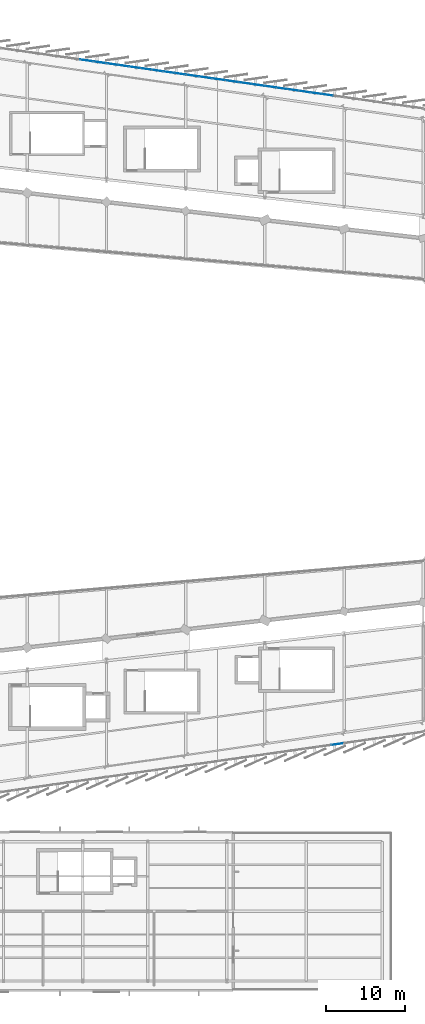
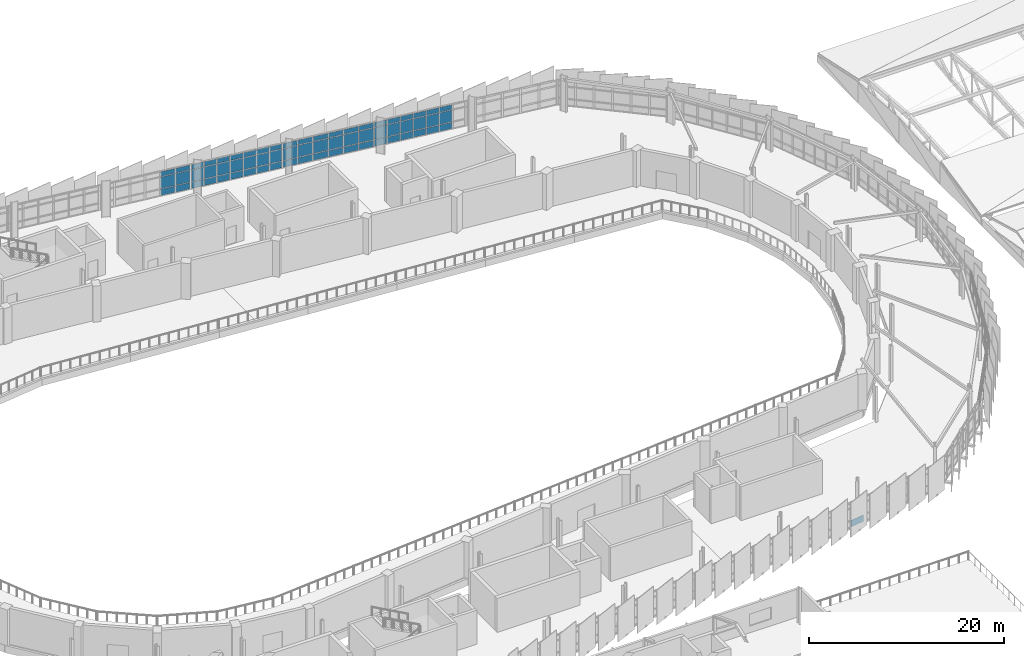
# One storey, part 68 of 87: 64 plates, 5 elements without a shape of their own.
"""IFC4 building model written with IfcOpenShell, lengths in metres."""

import ifcopenshell
import ifcopenshell.guid

model = None  # the IFC model being written
_history = None  # IfcOwnerHistory: only IFC2X3 demands one
_inside = {}  # id of a spatial element -> (the spatial element, [elements in it])
_under = {}  # id of a project, library or spatial element -> (it, [spatial elements below it])
_declared = {}  # id of a project -> (the project, [libraries it declares])
_typed = {}  # id of a type object -> (the type object, [elements of that type])
_made_of = {}  # id of a material, layer set ... -> (it, [elements and type objects made of it])


def new_model(schema):
    """Start an empty IFC model of exactly this schema.

    Asked for "IFC4X3", IfcOpenShell would pick the latest addendum, in which some entities
    have other attributes; the version numbers below select the first issue.
    IFC2X3 requires an IfcOwnerHistory on every rooted entity: one is made here for all.
    """
    global model, _history
    if schema == "IFC4X3":
        model = ifcopenshell.file(schema_version=(4, 3, 0, 0))
    else:
        model = ifcopenshell.file(schema=schema)
    _inside.clear()
    _under.clear()
    _declared.clear()
    _typed.clear()
    _made_of.clear()
    _history = None
    if model.schema == "IFC2X3":
        org = make("IfcOrganization", Name="unknown")
        user = make(
            "IfcPersonAndOrganization",
            ThePerson=make("IfcPerson", FamilyName="unknown"),
            TheOrganization=org,
        )
        app = make(
            "IfcApplication",
            ApplicationDeveloper=org,
            Version="unknown",
            ApplicationFullName="unknown",
            ApplicationIdentifier="unknown",
        )
        _history = make(
            "IfcOwnerHistory",
            OwningUser=user,
            OwningApplication=app,
            ChangeAction="ADDED",
            CreationDate=0,
        )
    return model


def make(cls, **values):
    """One entity of the class cls with the attributes given. An attribute that is None is left unset."""
    return model.create_entity(
        cls, **{name: value for name, value in values.items() if value is not None}
    )


def rooted(cls, **values):
    """An entity with a GlobalId (a new one), such as an element, a storey or a relation."""
    return make(cls, GlobalId=ifcopenshell.guid.new(), OwnerHistory=_history, **values)


def si_unit(unit_type, name, prefix=None):
    """IfcSIUnit, for example si_unit("LENGTHUNIT", "METRE", prefix="MILLI")."""
    return make("IfcSIUnit", UnitType=unit_type, Prefix=prefix, Name=name)


def assignment(units):
    """IfcUnitAssignment: the units of a project."""
    return None if units is None else make("IfcUnitAssignment", Units=units)


def point(xyz):
    """IfcCartesianPoint."""
    return None if xyz is None else make("IfcCartesianPoint", Coordinates=xyz)


def direction(xyz):
    """IfcDirection."""
    return None if xyz is None else make("IfcDirection", DirectionRatios=xyz)


def frame(location, z_axis=None, x_axis=None):
    """IfcAxis2Placement3D, a coordinate frame: its origin and axes. An axis left out is left unset."""
    return make(
        "IfcAxis2Placement3D",
        Location=point(location),
        Axis=direction(z_axis),
        RefDirection=direction(x_axis),
    )


def frame_2d(location, x_axis=None):
    """IfcAxis2Placement2D, a coordinate frame in the plane: its origin and x axis."""
    return make(
        "IfcAxis2Placement2D", Location=point(location), RefDirection=direction(x_axis)
    )


def origin():
    """The frame at (0, 0, 0) with its axes left unset."""
    return frame((0.0, 0.0, 0.0))


def origin_2d():
    """The frame at (0, 0) in the plane with its x axis left unset."""
    return frame_2d((0.0, 0.0))


def place(relative_to, where):
    """IfcLocalPlacement: puts the frame where relative to a parent placement (None: the world)."""
    return make(
        "IfcLocalPlacement", PlacementRelTo=relative_to, RelativePlacement=where
    )


def context(
    kind, dimensions, precision=None, world=None, true_north=None, identifier=None
):
    """IfcGeometricRepresentationContext, for example the 3D "Model" context."""
    return make(
        "IfcGeometricRepresentationContext",
        ContextIdentifier=identifier,
        ContextType=kind,
        CoordinateSpaceDimension=dimensions,
        Precision=precision,
        WorldCoordinateSystem=world,
        TrueNorth=true_north,
    )


def subcontext(parent, identifier, kind, view, scale=None):
    """IfcGeometricRepresentationSubContext, for example "Body" below "Model"."""
    return make(
        "IfcGeometricRepresentationSubContext",
        ContextIdentifier=identifier,
        ContextType=kind,
        ParentContext=parent,
        TargetScale=scale,
        TargetView=view,
    )


def project(units=None, contexts=None):
    """IfcProject with its units and contexts."""
    return rooted(
        "IfcProject",
        Name="project",
        RepresentationContexts=contexts,
        UnitsInContext=assignment(units),
    )


def spatial(cls, under=None, at=None, **own):
    """A site, building, storey or space (cls), placed at a placement, below another one or the project."""
    s = rooted(cls, ObjectPlacement=at, **own)
    if under is not None:
        _under.setdefault(under.id(), (under, []))[1].append(s)
    return s


def profile(cls, at=None, kind="AREA", **sizes):
    """A parametric profile (cls). Its sizes go by their IFC names, for example OverallWidth=200.0."""
    return make(cls, ProfileType=kind, Position=at, **sizes)


def rectangle(**sizes):
    """IfcRectangleProfileDef."""
    return profile("IfcRectangleProfileDef", **sizes)


def extrude(swept, where, along, depth):
    """IfcExtrudedAreaSolid: the profile swept, set in the frame where, extruded along a direction by depth."""
    return make(
        "IfcExtrudedAreaSolid",
        SweptArea=swept,
        Position=where,
        ExtrudedDirection=direction(along),
        Depth=depth,
    )


def shape(context_of_items, identifier, shape_type, items):
    """IfcShapeRepresentation: the items that make up one representation, for example the "Body"."""
    return make(
        "IfcShapeRepresentation",
        ContextOfItems=context_of_items,
        RepresentationIdentifier=identifier,
        RepresentationType=shape_type,
        Items=items,
    )


def material(Name=None, Category=None):
    """IfcMaterial."""
    return make("IfcMaterial", Name=Name, Category=Category)


def layer(
    of_material, thickness, ventilated=None, Name=None, Category=None, Priority=None
):
    """IfcMaterialLayer: one layer of a wall or slab, of a material (None: an air gap)."""
    return make(
        "IfcMaterialLayer",
        Material=of_material,
        LayerThickness=thickness,
        IsVentilated=ventilated,
        Name=Name,
        Category=Category,
        Priority=Priority,
    )


def layer_set(layers, Name=None):
    """IfcMaterialLayerSet."""
    return make("IfcMaterialLayerSet", MaterialLayers=layers, LayerSetName=Name)


def made_of(thing, what):
    """Note that an element or type object is made of a material, layer set ...; save() writes the relation."""
    if what is not None:
        _made_of.setdefault(what.id(), (what, []))[1].append(thing)
    return thing


def type_object(cls, material=None, **own):
    """A type object (cls), such as IfcWallType, which elements share."""
    return made_of(rooted(cls, **own), material)


def element(
    cls,
    number,
    at=None,
    inside=None,
    cuts=None,
    type_object=None,
    material=None,
    context=None,
    identifier="Body",
    shape_type=None,
    held_by="IfcProductDefinitionShape",
    body=None,
    shapes=None,
    **own,
):
    """One element of the class cls, such as IfcWall. Its Tag is "e" and its number.

    at: its placement. inside: the storey or other place that contains it. cuts: it is an
    opening in that element (IfcRelVoidsElement). A single representation is given by context,
    identifier, shape_type and body (its items); several are given by shapes. held_by: the class
    of the entity that holds the representations. save() writes the other relations.
    """
    e = rooted(cls, Tag="e%d" % number, ObjectPlacement=at, **own)
    if body is not None:
        shapes = [shape(context, identifier, shape_type, body)]
    if shapes is not None:
        e.Representation = make(held_by, Representations=shapes)
    if inside is not None:
        _inside.setdefault(inside.id(), (inside, []))[1].append(e)
    if cuts is not None:
        rooted(
            "IfcRelVoidsElement", RelatingBuildingElement=cuts, RelatedOpeningElement=e
        )
    if type_object is not None:
        _typed.setdefault(type_object.id(), (type_object, []))[1].append(e)
    return made_of(e, material)


def aggregate(whole, parts):
    """IfcRelAggregates: a whole, such as a stair, and the parts it consists of."""
    return rooted("IfcRelAggregates", RelatingObject=whole, RelatedObjects=parts)


def save(model, path):
    """Write the relations noted so far, then the file.

    IfcRelAggregates (storeys below a building ...), IfcRelContainedInSpatialStructure (elements
    in a storey), IfcRelDefinesByType, IfcRelAssociatesMaterial and IfcRelDeclares: one each for
    every whole, place, type object, material and project.
    """
    for whole, parts in _under.values():
        aggregate(whole, parts)
    for where, things in _inside.values():
        rooted(
            "IfcRelContainedInSpatialStructure",
            RelatedElements=things,
            RelatingStructure=where,
        )
    for kind, things in _typed.values():
        rooted("IfcRelDefinesByType", RelatedObjects=things, RelatingType=kind)
    for what, things in _made_of.values():
        rooted("IfcRelAssociatesMaterial", RelatedObjects=things, RelatingMaterial=what)
    for by, libraries in _declared.values():
        rooted("IfcRelDeclares", RelatingContext=by, RelatedDefinitions=libraries)
    model.write(path)


model = new_model("IFC4")

# Units and contexts
model_context = context("Model", 3, precision=1e-05, world=origin(), true_north=direction((0.0, 1.0)))
body_context = subcontext(model_context, "Body", "Model", "MODEL_VIEW")
ifc_project = project(units=[si_unit("LENGTHUNIT", "METRE"), si_unit("AREAUNIT", "SQUARE_METRE"), si_unit("VOLUMEUNIT", "CUBIC_METRE"), si_unit("PLANEANGLEUNIT", "RADIAN"), si_unit("MASSUNIT", "GRAM", prefix="KILO")], contexts=[model_context])

# Site, building, storey
site_placement = place(None, origin())
site = spatial("IfcSite", under=ifc_project, at=site_placement, CompositionType="ELEMENT")
building_placement = place(site_placement, origin())
building = spatial("IfcBuilding", under=site, at=building_placement, Name="Sohan Crest Arena", CompositionType="ELEMENT")
storey_placement = place(building_placement, frame((0.0, 0.0, 18.0)))
storey = spatial("IfcBuildingStorey", under=building, at=storey_placement, Name="L04", CompositionType="ELEMENT", Elevation=18.0)

# Curtain wall, plates
ifc_material_1 = material(Name="Thermally broken anodised aluminium", Category="aluminium")
ifc_layer_1 = layer(ifc_material_1, 0.18994140625, Name="Thermally broken anodised aluminium")
ifc_layer_set_1 = layer_set([ifc_layer_1], Name="Thermally broken anodised aluminium")
curtain_wall_type_1 = type_object("IfcCurtainWallType", Name="ARC-CW05", PredefinedType="NOTDEFINED", material=ifc_layer_set_1)
curtain_wall_1_placement = place(storey_placement, origin())
curtain_wall_1 = element("IfcCurtainWall", 1, at=curtain_wall_1_placement, inside=storey, type_object=curtain_wall_type_1, Name="Unitised curtain wall CW-140", PredefinedType="NOTDEFINED")
ifc_material_2 = material(Name="Low-E double-glazed insulated glass", Category="glass")
ifc_layer_2 = layer(ifc_material_2, 0.028076171875, Name="Low-E double-glazed insulated glass")
ifc_layer_set_2 = layer_set([ifc_layer_2], Name="Low-E double-glazed insulated glass")
plate_type_1 = type_object("IfcPlateType", Name="ARC-CNP01", PredefinedType="CURTAIN_PANEL", material=ifc_layer_set_2)
plate_1_placement = place(storey_placement, frame((155.857177734375, 119.0849609375, 0.06494140625), z_axis=(0.0, 0.0, 1.0), x_axis=(-0.989957411768, 0.141365918403, 0.0)))
plate_1 = element("IfcPlate", 2, at=plate_1_placement, type_object=plate_type_1, Name="CW-140 panel 2.1", PredefinedType="CURTAIN_PANEL", context=body_context, shape_type="SweptSolid", body=[
    extrude(rectangle(XDim=1.383056640625, YDim=0.028076171875, at=origin_2d()), origin(), (0.0, 0.0, 1.0), 0.802490234375),
])
plate_2_placement = place(storey_placement, frame((155.857177734375, 119.0849609375, 0.932373046875), z_axis=(0.0, 0.0, 1.0), x_axis=(-0.989957411768, 0.141365918403, 0.0)))
plate_2 = element("IfcPlate", 3, at=plate_2_placement, type_object=plate_type_1, Name="CW-140 panel 2.2", PredefinedType="CURTAIN_PANEL", context=body_context, shape_type="SweptSolid", body=[
    extrude(rectangle(XDim=1.383056640625, YDim=0.028076171875, at=origin_2d()), origin(), (0.0, 0.0, 1.0), 1.455078125),
])
plate_3_placement = place(storey_placement, frame((155.857177734375, 119.0849609375, 2.452392578125), z_axis=(0.0, 0.0, 1.0), x_axis=(-0.989957411768, 0.141365918403, 0.0)))
plate_3 = element("IfcPlate", 4, at=plate_3_placement, type_object=plate_type_1, Name="CW-140 panel 2.3", PredefinedType="CURTAIN_PANEL", context=body_context, shape_type="SweptSolid", body=[
    extrude(rectangle(XDim=1.383056640625, YDim=0.028076171875, at=origin_2d()), origin(), (0.0, 0.0, 1.0), 0.6025390625),
])
plate_4_placement = place(storey_placement, frame((154.428466796875, 119.2890625, 0.06494140625), z_axis=(0.0, 0.0, 1.0), x_axis=(-0.989957411768, 0.141365918403, 0.0)))
plate_4 = element("IfcPlate", 5, at=plate_4_placement, type_object=plate_type_1, Name="CW-140 panel 3.1", PredefinedType="CURTAIN_PANEL", context=body_context, shape_type="SweptSolid", body=[
    extrude(rectangle(XDim=1.383056640625, YDim=0.028076171875, at=origin_2d()), origin(), (0.0, 0.0, 1.0), 0.802490234375),
])
plate_5_placement = place(storey_placement, frame((154.428466796875, 119.2890625, 0.932373046875), z_axis=(0.0, 0.0, 1.0), x_axis=(-0.989957411768, 0.141365918403, 0.0)))
plate_5 = element("IfcPlate", 6, at=plate_5_placement, type_object=plate_type_1, Name="CW-140 panel 3.2", PredefinedType="CURTAIN_PANEL", context=body_context, shape_type="SweptSolid", body=[
    extrude(rectangle(XDim=1.383056640625, YDim=0.028076171875, at=origin_2d()), origin(), (0.0, 0.0, 1.0), 1.455078125),
])
plate_6_placement = place(storey_placement, frame((154.428466796875, 119.2890625, 2.452392578125), z_axis=(0.0, 0.0, 1.0), x_axis=(-0.989957411768, 0.141365918403, 0.0)))
plate_6 = element("IfcPlate", 7, at=plate_6_placement, type_object=plate_type_1, Name="CW-140 panel 3.3", PredefinedType="CURTAIN_PANEL", context=body_context, shape_type="SweptSolid", body=[
    extrude(rectangle(XDim=1.383056640625, YDim=0.028076171875, at=origin_2d()), origin(), (0.0, 0.0, 1.0), 0.6025390625),
])
plate_7_placement = place(storey_placement, frame((153.0, 119.492919921875, 0.06494140625), z_axis=(0.0, 0.0, 1.0), x_axis=(-0.989957411768, 0.141365918403, 0.0)))
plate_7 = element("IfcPlate", 8, at=plate_7_placement, type_object=plate_type_1, Name="CW-140 panel 4.1", PredefinedType="CURTAIN_PANEL", context=body_context, shape_type="SweptSolid", body=[
    extrude(rectangle(XDim=1.383056640625, YDim=0.028076171875, at=origin_2d()), origin(), (0.0, 0.0, 1.0), 0.802490234375),
])
plate_8_placement = place(storey_placement, frame((153.0, 119.492919921875, 0.932373046875), z_axis=(0.0, 0.0, 1.0), x_axis=(-0.989957411768, 0.141365918403, 0.0)))
plate_8 = element("IfcPlate", 9, at=plate_8_placement, type_object=plate_type_1, Name="CW-140 panel 4.2", PredefinedType="CURTAIN_PANEL", context=body_context, shape_type="SweptSolid", body=[
    extrude(rectangle(XDim=1.383056640625, YDim=0.028076171875, at=origin_2d()), origin(), (0.0, 0.0, 1.0), 1.455078125),
])
plate_9_placement = place(storey_placement, frame((153.0, 119.492919921875, 2.452392578125), z_axis=(0.0, 0.0, 1.0), x_axis=(-0.989957411768, 0.141365918403, 0.0)))
plate_9 = element("IfcPlate", 10, at=plate_9_placement, type_object=plate_type_1, Name="CW-140 panel 4.3", PredefinedType="CURTAIN_PANEL", context=body_context, shape_type="SweptSolid", body=[
    extrude(rectangle(XDim=1.383056640625, YDim=0.028076171875, at=origin_2d()), origin(), (0.0, 0.0, 1.0), 0.6025390625),
])
plate_10_placement = place(storey_placement, frame((151.571533203125, 119.697021484375, 0.06494140625), z_axis=(0.0, 0.0, 1.0), x_axis=(-0.989957411768, 0.141365918403, 0.0)))
plate_10 = element("IfcPlate", 11, at=plate_10_placement, type_object=plate_type_1, Name="CW-140 panel 5.1", PredefinedType="CURTAIN_PANEL", context=body_context, shape_type="SweptSolid", body=[
    extrude(rectangle(XDim=1.383056640625, YDim=0.028076171875, at=origin_2d()), origin(), (0.0, 0.0, 1.0), 0.802490234375),
])
plate_11_placement = place(storey_placement, frame((151.571533203125, 119.697021484375, 0.932373046875), z_axis=(0.0, 0.0, 1.0), x_axis=(-0.989957411768, 0.141365918403, 0.0)))
plate_11 = element("IfcPlate", 12, at=plate_11_placement, type_object=plate_type_1, Name="CW-140 panel 5.2", PredefinedType="CURTAIN_PANEL", context=body_context, shape_type="SweptSolid", body=[
    extrude(rectangle(XDim=1.383056640625, YDim=0.028076171875, at=origin_2d()), origin(), (0.0, 0.0, 1.0), 1.455078125),
])
plate_12_placement = place(storey_placement, frame((151.571533203125, 119.697021484375, 2.452392578125), z_axis=(0.0, 0.0, 1.0), x_axis=(-0.989957411768, 0.141365918403, 0.0)))
plate_12 = element("IfcPlate", 13, at=plate_12_placement, type_object=plate_type_1, Name="CW-140 panel 5.3", PredefinedType="CURTAIN_PANEL", context=body_context, shape_type="SweptSolid", body=[
    extrude(rectangle(XDim=1.383056640625, YDim=0.028076171875, at=origin_2d()), origin(), (0.0, 0.0, 1.0), 0.6025390625),
])
plate_13_placement = place(storey_placement, frame((150.142822265625, 119.90087890625, 0.06494140625), z_axis=(0.0, 0.0, 1.0), x_axis=(-0.989957411768, 0.141365918403, 0.0)))
plate_13 = element("IfcPlate", 14, at=plate_13_placement, type_object=plate_type_1, Name="CW-140 panel 6.1", PredefinedType="CURTAIN_PANEL", context=body_context, shape_type="SweptSolid", body=[
    extrude(rectangle(XDim=1.383056640625, YDim=0.028076171875, at=origin_2d()), origin(), (0.0, 0.0, 1.0), 0.802490234375),
])
plate_14_placement = place(storey_placement, frame((150.142822265625, 119.90087890625, 0.932373046875), z_axis=(0.0, 0.0, 1.0), x_axis=(-0.989957411768, 0.141365918403, 0.0)))
plate_14 = element("IfcPlate", 15, at=plate_14_placement, type_object=plate_type_1, Name="CW-140 panel 6.2", PredefinedType="CURTAIN_PANEL", context=body_context, shape_type="SweptSolid", body=[
    extrude(rectangle(XDim=1.383056640625, YDim=0.028076171875, at=origin_2d()), origin(), (0.0, 0.0, 1.0), 1.455078125),
])
plate_15_placement = place(storey_placement, frame((150.142822265625, 119.90087890625, 2.452392578125), z_axis=(0.0, 0.0, 1.0), x_axis=(-0.989957411768, 0.141365918403, 0.0)))
plate_15 = element("IfcPlate", 16, at=plate_15_placement, type_object=plate_type_1, Name="CW-140 panel 6.3", PredefinedType="CURTAIN_PANEL", context=body_context, shape_type="SweptSolid", body=[
    extrude(rectangle(XDim=1.383056640625, YDim=0.028076171875, at=origin_2d()), origin(), (0.0, 0.0, 1.0), 0.6025390625),
])
plate_16_placement = place(storey_placement, frame((148.729248046875, 120.102783203125, 0.06494140625), z_axis=(0.0, 0.0, 1.0), x_axis=(-0.989957411768, 0.141365918403, 0.0)))
plate_16 = element("IfcPlate", 17, at=plate_16_placement, type_object=plate_type_1, Name="CW-140 panel 7.1", PredefinedType="CURTAIN_PANEL", context=body_context, shape_type="SweptSolid", body=[
    extrude(rectangle(XDim=1.35302734375, YDim=0.028076171875, at=origin_2d()), origin(), (0.0, 0.0, 1.0), 0.802490234375),
])
plate_17_placement = place(storey_placement, frame((148.729248046875, 120.102783203125, 0.932373046875), z_axis=(0.0, 0.0, 1.0), x_axis=(-0.989957411768, 0.141365918403, 0.0)))
plate_17 = element("IfcPlate", 18, at=plate_17_placement, type_object=plate_type_1, Name="CW-140 panel 7.2", PredefinedType="CURTAIN_PANEL", context=body_context, shape_type="SweptSolid", body=[
    extrude(rectangle(XDim=1.35302734375, YDim=0.028076171875, at=origin_2d()), origin(), (0.0, 0.0, 1.0), 1.455078125),
])
plate_18_placement = place(storey_placement, frame((148.729248046875, 120.102783203125, 2.452392578125), z_axis=(0.0, 0.0, 1.0), x_axis=(-0.989957411768, 0.141365918403, 0.0)))
plate_18 = element("IfcPlate", 19, at=plate_18_placement, type_object=plate_type_1, Name="CW-140 panel 7.3", PredefinedType="CURTAIN_PANEL", context=body_context, shape_type="SweptSolid", body=[
    extrude(rectangle(XDim=1.35302734375, YDim=0.028076171875, at=origin_2d()), origin(), (0.0, 0.0, 1.0), 0.6025390625),
])
aggregate(curtain_wall_1, [plate_1, plate_2, plate_3, plate_4, plate_5, plate_6, plate_7, plate_8, plate_9, plate_10, plate_11, plate_12, plate_13, plate_14, plate_15, plate_16, plate_17, plate_18])

# Curtain wall, plate
ifc_layer_3 = layer(ifc_material_1, 0.2099609375, Name="Thermally broken anodised aluminium")
ifc_layer_set_3 = layer_set([ifc_layer_3], Name="Thermally broken anodised aluminium")
curtain_wall_type_2 = type_object("IfcCurtainWallType", Name="ARC-CW06", PredefinedType="NOTDEFINED", material=ifc_layer_set_3)
curtain_wall_2_placement = place(storey_placement, origin())
curtain_wall_2 = element("IfcCurtainWall", 20, at=curtain_wall_2_placement, inside=storey, type_object=curtain_wall_type_2, Name="Unitised curtain wall CW-129", PredefinedType="NOTDEFINED")
ifc_layer_4 = layer(ifc_material_2, 0.031982421875, Name="Low-E double-glazed insulated glass")
ifc_layer_set_4 = layer_set([ifc_layer_4], Name="Low-E double-glazed insulated glass")
plate_type_2 = type_object("IfcPlateType", Name="ARC-CNP02", PredefinedType="CURTAIN_PANEL", material=ifc_layer_set_4)
plate_19_placement = place(storey_placement, frame((157.150634765625, 37.099609375, 0.070068359375), z_axis=(0.0, 0.0, 1.0), x_axis=(0.989957411768, 0.141365918403, 0.0)))
plate_19 = element("IfcPlate", 21, at=plate_19_placement, type_object=plate_type_2, Name="CW-129 panel 6.1", PredefinedType="CURTAIN_PANEL", context=body_context, shape_type="SweptSolid", body=[
    extrude(rectangle(XDim=1.586181640625, YDim=0.031982421875, at=origin_2d()), origin(), (0.0, 0.0, 1.0), 0.794921875),
])
aggregate(curtain_wall_2, [plate_19])

# Curtain wall, plates
curtain_wall_3_placement = place(storey_placement, origin())
curtain_wall_3 = element("IfcCurtainWall", 22, at=curtain_wall_3_placement, inside=storey, type_object=curtain_wall_type_2, Name="Unitised curtain wall CW-141", PredefinedType="NOTDEFINED")
plate_20_placement = place(storey_placement, frame((147.150634765625, 120.328369140625, 0.070068359375), z_axis=(0.0, 0.0, 1.0), x_axis=(-0.989943553128, 0.141462933734, 0.0)))
plate_20 = element("IfcPlate", 23, at=plate_20_placement, type_object=plate_type_2, Name="CW-141 panel 1.1", PredefinedType="CURTAIN_PANEL", context=body_context, shape_type="SweptSolid", body=[
    extrude(rectangle(XDim=1.586181640625, YDim=0.031982421875, at=origin_2d()), origin(), (0.0, 0.0, 1.0), 0.794921875),
])
plate_21_placement = place(storey_placement, frame((147.150634765625, 120.328369140625, 0.93505859375), z_axis=(0.0, 0.0, 1.0), x_axis=(-0.989943553128, 0.141462933734, 0.0)))
plate_21 = element("IfcPlate", 24, at=plate_21_placement, type_object=plate_type_2, Name="CW-141 panel 1.2", PredefinedType="CURTAIN_PANEL", context=body_context, shape_type="SweptSolid", body=[
    extrude(rectangle(XDim=1.586181640625, YDim=0.031982421875, at=origin_2d()), origin(), (0.0, 0.0, 1.0), 1.449951171875),
])
plate_22_placement = place(storey_placement, frame((147.150634765625, 120.328369140625, 2.455078125), z_axis=(0.0, 0.0, 1.0), x_axis=(-0.989943553128, 0.141462933734, 0.0)))
plate_22 = element("IfcPlate", 25, at=plate_22_placement, type_object=plate_type_2, Name="CW-141 panel 1.3", PredefinedType="CURTAIN_PANEL", context=body_context, shape_type="SweptSolid", body=[
    extrude(rectangle(XDim=1.586181640625, YDim=0.031982421875, at=origin_2d()), origin(), (0.0, 0.0, 1.0), 0.594970703125),
])
plate_23_placement = place(storey_placement, frame((145.5, 120.564208984375, 0.070068359375), z_axis=(0.0, 0.0, 1.0), x_axis=(-0.989943553128, 0.141462933734, 0.0)))
plate_23 = element("IfcPlate", 26, at=plate_23_placement, type_object=plate_type_2, Name="CW-141 panel 2.1", PredefinedType="CURTAIN_PANEL", context=body_context, shape_type="SweptSolid", body=[
    extrude(rectangle(XDim=1.61865234375, YDim=0.031982421875, at=origin_2d()), origin(), (0.0, 0.0, 1.0), 0.794921875),
])
plate_24_placement = place(storey_placement, frame((145.5, 120.564208984375, 0.93505859375), z_axis=(0.0, 0.0, 1.0), x_axis=(-0.989943553128, 0.141462933734, 0.0)))
plate_24 = element("IfcPlate", 27, at=plate_24_placement, type_object=plate_type_2, Name="CW-141 panel 2.2", PredefinedType="CURTAIN_PANEL", context=body_context, shape_type="SweptSolid", body=[
    extrude(rectangle(XDim=1.61865234375, YDim=0.031982421875, at=origin_2d()), origin(), (0.0, 0.0, 1.0), 1.449951171875),
])
plate_25_placement = place(storey_placement, frame((145.5, 120.564208984375, 2.455078125), z_axis=(0.0, 0.0, 1.0), x_axis=(-0.989943553128, 0.141462933734, 0.0)))
plate_25 = element("IfcPlate", 28, at=plate_25_placement, type_object=plate_type_2, Name="CW-141 panel 2.3", PredefinedType="CURTAIN_PANEL", context=body_context, shape_type="SweptSolid", body=[
    extrude(rectangle(XDim=1.61865234375, YDim=0.031982421875, at=origin_2d()), origin(), (0.0, 0.0, 1.0), 0.594970703125),
])
plate_26_placement = place(storey_placement, frame((143.833251953125, 120.802490234375, 0.070068359375), z_axis=(0.0, 0.0, 1.0), x_axis=(-0.989943553128, 0.141462933734, 0.0)))
plate_26 = element("IfcPlate", 29, at=plate_26_placement, type_object=plate_type_2, Name="CW-141 panel 3.1", PredefinedType="CURTAIN_PANEL", context=body_context, shape_type="SweptSolid", body=[
    extrude(rectangle(XDim=1.61865234375, YDim=0.031982421875, at=origin_2d()), origin(), (0.0, 0.0, 1.0), 0.794921875),
])
plate_27_placement = place(storey_placement, frame((143.833251953125, 120.802490234375, 0.93505859375), z_axis=(0.0, 0.0, 1.0), x_axis=(-0.989943553128, 0.141462933734, 0.0)))
plate_27 = element("IfcPlate", 30, at=plate_27_placement, type_object=plate_type_2, Name="CW-141 panel 3.2", PredefinedType="CURTAIN_PANEL", context=body_context, shape_type="SweptSolid", body=[
    extrude(rectangle(XDim=1.61865234375, YDim=0.031982421875, at=origin_2d()), origin(), (0.0, 0.0, 1.0), 1.449951171875),
])
plate_28_placement = place(storey_placement, frame((143.833251953125, 120.802490234375, 2.455078125), z_axis=(0.0, 0.0, 1.0), x_axis=(-0.989943553128, 0.141462933734, 0.0)))
plate_28 = element("IfcPlate", 31, at=plate_28_placement, type_object=plate_type_2, Name="CW-141 panel 3.3", PredefinedType="CURTAIN_PANEL", context=body_context, shape_type="SweptSolid", body=[
    extrude(rectangle(XDim=1.61865234375, YDim=0.031982421875, at=origin_2d()), origin(), (0.0, 0.0, 1.0), 0.594970703125),
])
plate_29_placement = place(storey_placement, frame((142.166748046875, 121.04052734375, 0.070068359375), z_axis=(0.0, 0.0, 1.0), x_axis=(-0.989943553128, 0.141462933734, 0.0)))
plate_29 = element("IfcPlate", 32, at=plate_29_placement, type_object=plate_type_2, Name="CW-141 panel 4.1", PredefinedType="CURTAIN_PANEL", context=body_context, shape_type="SweptSolid", body=[
    extrude(rectangle(XDim=1.61865234375, YDim=0.031982421875, at=origin_2d()), origin(), (0.0, 0.0, 1.0), 0.794921875),
])
plate_30_placement = place(storey_placement, frame((142.166748046875, 121.04052734375, 0.93505859375), z_axis=(0.0, 0.0, 1.0), x_axis=(-0.989943553128, 0.141462933734, 0.0)))
plate_30 = element("IfcPlate", 33, at=plate_30_placement, type_object=plate_type_2, Name="CW-141 panel 4.2", PredefinedType="CURTAIN_PANEL", context=body_context, shape_type="SweptSolid", body=[
    extrude(rectangle(XDim=1.61865234375, YDim=0.031982421875, at=origin_2d()), origin(), (0.0, 0.0, 1.0), 1.449951171875),
])
plate_31_placement = place(storey_placement, frame((142.166748046875, 121.04052734375, 2.455078125), z_axis=(0.0, 0.0, 1.0), x_axis=(-0.989943553128, 0.141462933734, 0.0)))
plate_31 = element("IfcPlate", 34, at=plate_31_placement, type_object=plate_type_2, Name="CW-141 panel 4.3", PredefinedType="CURTAIN_PANEL", context=body_context, shape_type="SweptSolid", body=[
    extrude(rectangle(XDim=1.61865234375, YDim=0.031982421875, at=origin_2d()), origin(), (0.0, 0.0, 1.0), 0.594970703125),
])
plate_32_placement = place(storey_placement, frame((140.5, 121.27880859375, 0.070068359375), z_axis=(0.0, 0.0, 1.0), x_axis=(-0.989943553128, 0.141462933734, 0.0)))
plate_32 = element("IfcPlate", 35, at=plate_32_placement, type_object=plate_type_2, Name="CW-141 panel 5.1", PredefinedType="CURTAIN_PANEL", context=body_context, shape_type="SweptSolid", body=[
    extrude(rectangle(XDim=1.61865234375, YDim=0.031982421875, at=origin_2d()), origin(), (0.0, 0.0, 1.0), 0.794921875),
])
plate_33_placement = place(storey_placement, frame((140.5, 121.27880859375, 0.93505859375), z_axis=(0.0, 0.0, 1.0), x_axis=(-0.989943553128, 0.141462933734, 0.0)))
plate_33 = element("IfcPlate", 36, at=plate_33_placement, type_object=plate_type_2, Name="CW-141 panel 5.2", PredefinedType="CURTAIN_PANEL", context=body_context, shape_type="SweptSolid", body=[
    extrude(rectangle(XDim=1.61865234375, YDim=0.031982421875, at=origin_2d()), origin(), (0.0, 0.0, 1.0), 1.449951171875),
])
plate_34_placement = place(storey_placement, frame((140.5, 121.27880859375, 2.455078125), z_axis=(0.0, 0.0, 1.0), x_axis=(-0.989943553128, 0.141462933734, 0.0)))
plate_34 = element("IfcPlate", 37, at=plate_34_placement, type_object=plate_type_2, Name="CW-141 panel 5.3", PredefinedType="CURTAIN_PANEL", context=body_context, shape_type="SweptSolid", body=[
    extrude(rectangle(XDim=1.61865234375, YDim=0.031982421875, at=origin_2d()), origin(), (0.0, 0.0, 1.0), 0.594970703125),
])
plate_35_placement = place(storey_placement, frame((138.849365234375, 121.5146484375, 0.070068359375), z_axis=(0.0, 0.0, 1.0), x_axis=(-0.989943553128, 0.141462933734, 0.0)))
plate_35 = element("IfcPlate", 38, at=plate_35_placement, type_object=plate_type_2, Name="CW-141 panel 6.1", PredefinedType="CURTAIN_PANEL", context=body_context, shape_type="SweptSolid", body=[
    extrude(rectangle(XDim=1.586181640625, YDim=0.031982421875, at=origin_2d()), origin(), (0.0, 0.0, 1.0), 0.794921875),
])
plate_36_placement = place(storey_placement, frame((138.849365234375, 121.5146484375, 0.93505859375), z_axis=(0.0, 0.0, 1.0), x_axis=(-0.989943553128, 0.141462933734, 0.0)))
plate_36 = element("IfcPlate", 39, at=plate_36_placement, type_object=plate_type_2, Name="CW-141 panel 6.2", PredefinedType="CURTAIN_PANEL", context=body_context, shape_type="SweptSolid", body=[
    extrude(rectangle(XDim=1.586181640625, YDim=0.031982421875, at=origin_2d()), origin(), (0.0, 0.0, 1.0), 1.449951171875),
])
plate_37_placement = place(storey_placement, frame((138.849365234375, 121.5146484375, 2.455078125), z_axis=(0.0, 0.0, 1.0), x_axis=(-0.989943553128, 0.141462933734, 0.0)))
plate_37 = element("IfcPlate", 40, at=plate_37_placement, type_object=plate_type_2, Name="CW-141 panel 6.3", PredefinedType="CURTAIN_PANEL", context=body_context, shape_type="SweptSolid", body=[
    extrude(rectangle(XDim=1.586181640625, YDim=0.031982421875, at=origin_2d()), origin(), (0.0, 0.0, 1.0), 0.594970703125),
])
aggregate(curtain_wall_3, [plate_20, plate_21, plate_22, plate_23, plate_24, plate_25, plate_26, plate_27, plate_28, plate_29, plate_30, plate_31, plate_32, plate_33, plate_34, plate_35, plate_36, plate_37])

ifc_layer_5 = layer(ifc_material_1, 0.179931640625, Name="Thermally broken anodised aluminium")
ifc_layer_set_5 = layer_set([ifc_layer_5], Name="Thermally broken anodised aluminium")
curtain_wall_type_3 = type_object("IfcCurtainWallType", Name="ARC-CW01", PredefinedType="NOTDEFINED", material=ifc_layer_set_5)
curtain_wall_4_placement = place(storey_placement, origin())
curtain_wall_4 = element("IfcCurtainWall", 41, at=curtain_wall_4_placement, inside=storey, type_object=curtain_wall_type_3, Name="Unitised curtain wall CW-142", PredefinedType="NOTDEFINED")
ifc_material_3 = material(Name="Ceramic-fritted solar-control insulated glass", Category="glass")
ifc_layer_6 = layer(ifc_material_3, 0.035888671875, Name="Ceramic-fritted solar-control insulated glass")
ifc_layer_set_6 = layer_set([ifc_layer_6], Name="Ceramic-fritted solar-control insulated glass")
plate_type_3 = type_object("IfcPlateType", Name="ARC-CNP03", PredefinedType="CURTAIN_PANEL", material=ifc_layer_set_6)
plate_38_placement = place(storey_placement, frame((137.268310546875, 121.740478515625, 0.06005859375), z_axis=(0.0, 0.0, 1.0), x_axis=(-0.989957411768, 0.141365918403, 0.0)))
plate_38 = element("IfcPlate", 42, at=plate_38_placement, type_object=plate_type_3, Name="CW-142 panel 1.1", PredefinedType="CURTAIN_PANEL", context=body_context, shape_type="SweptSolid", body=[
    extrude(rectangle(XDim=1.338134765625, YDim=0.035888671875, at=origin_2d()), origin(), (0.0, 0.0, 1.0), 0.81005859375),
])
plate_39_placement = place(storey_placement, frame((137.268310546875, 121.740478515625, 0.929931640625), z_axis=(0.0, 0.0, 1.0), x_axis=(-0.989957411768, 0.141365918403, 0.0)))
plate_39 = element("IfcPlate", 43, at=plate_39_placement, type_object=plate_type_3, Name="CW-142 panel 1.2", PredefinedType="CURTAIN_PANEL", context=body_context, shape_type="SweptSolid", body=[
    extrude(rectangle(XDim=1.338134765625, YDim=0.035888671875, at=origin_2d()), origin(), (0.0, 0.0, 1.0), 1.4599609375),
])
plate_40_placement = place(storey_placement, frame((137.268310546875, 121.740478515625, 2.44970703125), z_axis=(0.0, 0.0, 1.0), x_axis=(-0.989957411768, 0.141365918403, 0.0)))
plate_40 = element("IfcPlate", 44, at=plate_40_placement, type_object=plate_type_3, Name="CW-142 panel 1.3", PredefinedType="CURTAIN_PANEL", context=body_context, shape_type="SweptSolid", body=[
    extrude(rectangle(XDim=1.338134765625, YDim=0.035888671875, at=origin_2d()), origin(), (0.0, 0.0, 1.0), 0.610107421875),
])
plate_41_placement = place(storey_placement, frame((135.857177734375, 121.94189453125, 0.06005859375), z_axis=(0.0, 0.0, 1.0), x_axis=(-0.989957411768, 0.141365918403, 0.0)))
plate_41 = element("IfcPlate", 45, at=plate_41_placement, type_object=plate_type_3, Name="CW-142 panel 2.1", PredefinedType="CURTAIN_PANEL", context=body_context, shape_type="SweptSolid", body=[
    extrude(rectangle(XDim=1.373046875, YDim=0.035888671875, at=origin_2d()), origin(), (0.0, 0.0, 1.0), 0.81005859375),
])
plate_42_placement = place(storey_placement, frame((135.857177734375, 121.94189453125, 0.929931640625), z_axis=(0.0, 0.0, 1.0), x_axis=(-0.989957411768, 0.141365918403, 0.0)))
plate_42 = element("IfcPlate", 46, at=plate_42_placement, type_object=plate_type_3, Name="CW-142 panel 2.2", PredefinedType="CURTAIN_PANEL", context=body_context, shape_type="SweptSolid", body=[
    extrude(rectangle(XDim=1.373046875, YDim=0.035888671875, at=origin_2d()), origin(), (0.0, 0.0, 1.0), 1.4599609375),
])
plate_43_placement = place(storey_placement, frame((135.857177734375, 121.94189453125, 2.44970703125), z_axis=(0.0, 0.0, 1.0), x_axis=(-0.989957411768, 0.141365918403, 0.0)))
plate_43 = element("IfcPlate", 47, at=plate_43_placement, type_object=plate_type_3, Name="CW-142 panel 2.3", PredefinedType="CURTAIN_PANEL", context=body_context, shape_type="SweptSolid", body=[
    extrude(rectangle(XDim=1.373046875, YDim=0.035888671875, at=origin_2d()), origin(), (0.0, 0.0, 1.0), 0.610107421875),
])
plate_44_placement = place(storey_placement, frame((134.428466796875, 122.14599609375, 0.06005859375), z_axis=(0.0, 0.0, 1.0), x_axis=(-0.989957411768, 0.141365918403, 0.0)))
plate_44 = element("IfcPlate", 48, at=plate_44_placement, type_object=plate_type_3, Name="CW-142 panel 3.1", PredefinedType="CURTAIN_PANEL", context=body_context, shape_type="SweptSolid", body=[
    extrude(rectangle(XDim=1.373046875, YDim=0.035888671875, at=origin_2d()), origin(), (0.0, 0.0, 1.0), 0.81005859375),
])
plate_45_placement = place(storey_placement, frame((134.428466796875, 122.14599609375, 0.929931640625), z_axis=(0.0, 0.0, 1.0), x_axis=(-0.989957411768, 0.141365918403, 0.0)))
plate_45 = element("IfcPlate", 49, at=plate_45_placement, type_object=plate_type_3, Name="CW-142 panel 3.2", PredefinedType="CURTAIN_PANEL", context=body_context, shape_type="SweptSolid", body=[
    extrude(rectangle(XDim=1.373046875, YDim=0.035888671875, at=origin_2d()), origin(), (0.0, 0.0, 1.0), 1.4599609375),
])
plate_46_placement = place(storey_placement, frame((134.428466796875, 122.14599609375, 2.44970703125), z_axis=(0.0, 0.0, 1.0), x_axis=(-0.989957411768, 0.141365918403, 0.0)))
plate_46 = element("IfcPlate", 50, at=plate_46_placement, type_object=plate_type_3, Name="CW-142 panel 3.3", PredefinedType="CURTAIN_PANEL", context=body_context, shape_type="SweptSolid", body=[
    extrude(rectangle(XDim=1.373046875, YDim=0.035888671875, at=origin_2d()), origin(), (0.0, 0.0, 1.0), 0.610107421875),
])
plate_47_placement = place(storey_placement, frame((133.0, 122.35009765625, 0.06005859375), z_axis=(0.0, 0.0, 1.0), x_axis=(-0.989957411768, 0.141365918403, 0.0)))
plate_47 = element("IfcPlate", 51, at=plate_47_placement, type_object=plate_type_3, Name="CW-142 panel 4.1", PredefinedType="CURTAIN_PANEL", context=body_context, shape_type="SweptSolid", body=[
    extrude(rectangle(XDim=1.373046875, YDim=0.035888671875, at=origin_2d()), origin(), (0.0, 0.0, 1.0), 0.81005859375),
])
plate_48_placement = place(storey_placement, frame((133.0, 122.35009765625, 0.929931640625), z_axis=(0.0, 0.0, 1.0), x_axis=(-0.989957411768, 0.141365918403, 0.0)))
plate_48 = element("IfcPlate", 52, at=plate_48_placement, type_object=plate_type_3, Name="CW-142 panel 4.2", PredefinedType="CURTAIN_PANEL", context=body_context, shape_type="SweptSolid", body=[
    extrude(rectangle(XDim=1.373046875, YDim=0.035888671875, at=origin_2d()), origin(), (0.0, 0.0, 1.0), 1.4599609375),
])
plate_49_placement = place(storey_placement, frame((133.0, 122.35009765625, 2.44970703125), z_axis=(0.0, 0.0, 1.0), x_axis=(-0.989957411768, 0.141365918403, 0.0)))
plate_49 = element("IfcPlate", 53, at=plate_49_placement, type_object=plate_type_3, Name="CW-142 panel 4.3", PredefinedType="CURTAIN_PANEL", context=body_context, shape_type="SweptSolid", body=[
    extrude(rectangle(XDim=1.373046875, YDim=0.035888671875, at=origin_2d()), origin(), (0.0, 0.0, 1.0), 0.610107421875),
])
plate_50_placement = place(storey_placement, frame((131.571533203125, 122.553955078125, 0.06005859375), z_axis=(0.0, 0.0, 1.0), x_axis=(-0.989957411768, 0.141365918403, 0.0)))
plate_50 = element("IfcPlate", 54, at=plate_50_placement, type_object=plate_type_3, Name="CW-142 panel 5.1", PredefinedType="CURTAIN_PANEL", context=body_context, shape_type="SweptSolid", body=[
    extrude(rectangle(XDim=1.373046875, YDim=0.035888671875, at=origin_2d()), origin(), (0.0, 0.0, 1.0), 0.81005859375),
])
plate_51_placement = place(storey_placement, frame((131.571533203125, 122.553955078125, 0.929931640625), z_axis=(0.0, 0.0, 1.0), x_axis=(-0.989957411768, 0.141365918403, 0.0)))
plate_51 = element("IfcPlate", 55, at=plate_51_placement, type_object=plate_type_3, Name="CW-142 panel 5.2", PredefinedType="CURTAIN_PANEL", context=body_context, shape_type="SweptSolid", body=[
    extrude(rectangle(XDim=1.373046875, YDim=0.035888671875, at=origin_2d()), origin(), (0.0, 0.0, 1.0), 1.4599609375),
])
plate_52_placement = place(storey_placement, frame((131.571533203125, 122.553955078125, 2.44970703125), z_axis=(0.0, 0.0, 1.0), x_axis=(-0.989957411768, 0.141365918403, 0.0)))
plate_52 = element("IfcPlate", 56, at=plate_52_placement, type_object=plate_type_3, Name="CW-142 panel 5.3", PredefinedType="CURTAIN_PANEL", context=body_context, shape_type="SweptSolid", body=[
    extrude(rectangle(XDim=1.373046875, YDim=0.035888671875, at=origin_2d()), origin(), (0.0, 0.0, 1.0), 0.610107421875),
])
plate_53_placement = place(storey_placement, frame((130.142822265625, 122.758056640625, 0.06005859375), z_axis=(0.0, 0.0, 1.0), x_axis=(-0.989957411768, 0.141365918403, 0.0)))
plate_53 = element("IfcPlate", 57, at=plate_53_placement, type_object=plate_type_3, Name="CW-142 panel 6.1", PredefinedType="CURTAIN_PANEL", context=body_context, shape_type="SweptSolid", body=[
    extrude(rectangle(XDim=1.373046875, YDim=0.035888671875, at=origin_2d()), origin(), (0.0, 0.0, 1.0), 0.81005859375),
])
plate_54_placement = place(storey_placement, frame((130.142822265625, 122.758056640625, 0.929931640625), z_axis=(0.0, 0.0, 1.0), x_axis=(-0.989957411768, 0.141365918403, 0.0)))
plate_54 = element("IfcPlate", 58, at=plate_54_placement, type_object=plate_type_3, Name="CW-142 panel 6.2", PredefinedType="CURTAIN_PANEL", context=body_context, shape_type="SweptSolid", body=[
    extrude(rectangle(XDim=1.373046875, YDim=0.035888671875, at=origin_2d()), origin(), (0.0, 0.0, 1.0), 1.4599609375),
])
plate_55_placement = place(storey_placement, frame((130.142822265625, 122.758056640625, 2.44970703125), z_axis=(0.0, 0.0, 1.0), x_axis=(-0.989957411768, 0.141365918403, 0.0)))
plate_55 = element("IfcPlate", 59, at=plate_55_placement, type_object=plate_type_3, Name="CW-142 panel 6.3", PredefinedType="CURTAIN_PANEL", context=body_context, shape_type="SweptSolid", body=[
    extrude(rectangle(XDim=1.373046875, YDim=0.035888671875, at=origin_2d()), origin(), (0.0, 0.0, 1.0), 0.610107421875),
])
plate_56_placement = place(storey_placement, frame((128.731689453125, 122.95947265625, 0.06005859375), z_axis=(0.0, 0.0, 1.0), x_axis=(-0.989957411768, 0.141365918403, 0.0)))
plate_56 = element("IfcPlate", 60, at=plate_56_placement, type_object=plate_type_3, Name="CW-142 panel 7.1", PredefinedType="CURTAIN_PANEL", context=body_context, shape_type="SweptSolid", body=[
    extrude(rectangle(XDim=1.338134765625, YDim=0.035888671875, at=origin_2d()), origin(), (0.0, 0.0, 1.0), 0.81005859375),
])
plate_57_placement = place(storey_placement, frame((128.731689453125, 122.95947265625, 0.929931640625), z_axis=(0.0, 0.0, 1.0), x_axis=(-0.989957411768, 0.141365918403, 0.0)))
plate_57 = element("IfcPlate", 61, at=plate_57_placement, type_object=plate_type_3, Name="CW-142 panel 7.2", PredefinedType="CURTAIN_PANEL", context=body_context, shape_type="SweptSolid", body=[
    extrude(rectangle(XDim=1.338134765625, YDim=0.035888671875, at=origin_2d()), origin(), (0.0, 0.0, 1.0), 1.4599609375),
])
plate_58_placement = place(storey_placement, frame((128.731689453125, 122.95947265625, 2.44970703125), z_axis=(0.0, 0.0, 1.0), x_axis=(-0.989957411768, 0.141365918403, 0.0)))
plate_58 = element("IfcPlate", 62, at=plate_58_placement, type_object=plate_type_3, Name="CW-142 panel 7.3", PredefinedType="CURTAIN_PANEL", context=body_context, shape_type="SweptSolid", body=[
    extrude(rectangle(XDim=1.338134765625, YDim=0.035888671875, at=origin_2d()), origin(), (0.0, 0.0, 1.0), 0.610107421875),
])
aggregate(curtain_wall_4, [plate_38, plate_39, plate_40, plate_41, plate_42, plate_43, plate_44, plate_45, plate_46, plate_47, plate_48, plate_49, plate_50, plate_51, plate_52, plate_53, plate_54, plate_55, plate_56, plate_57, plate_58])

ifc_layer_7 = layer(ifc_material_1, 0.199951171875, Name="Thermally broken anodised aluminium")
ifc_layer_set_7 = layer_set([ifc_layer_7], Name="Thermally broken anodised aluminium")
curtain_wall_type_4 = type_object("IfcCurtainWallType", Name="ARC-CW02", PredefinedType="NOTDEFINED", material=ifc_layer_set_7)
curtain_wall_5_placement = place(storey_placement, origin())
curtain_wall_5 = element("IfcCurtainWall", 63, at=curtain_wall_5_placement, inside=storey, type_object=curtain_wall_type_4, Name="Unitised curtain wall CW-143", PredefinedType="NOTDEFINED")
ifc_material_4 = material(Name="Insulated polychrome ceramic spandrel panel", Category="masonry")
ifc_layer_8 = layer(ifc_material_4, 0.0419921875, Name="Insulated polychrome ceramic spandrel panel")
ifc_layer_set_8 = layer_set([ifc_layer_8], Name="Insulated polychrome ceramic spandrel panel")
plate_type_4 = type_object("IfcPlateType", Name="ARC-CNP04", PredefinedType="CURTAIN_PANEL", material=ifc_layer_set_8)
plate_59_placement = place(storey_placement, frame((127.148193359375, 123.185791015625, 0.06494140625), z_axis=(0.0, 0.0, 1.0), x_axis=(-0.989943553128, 0.141462933734, 0.0)))
plate_59 = element("IfcPlate", 64, at=plate_59_placement, type_object=plate_type_4, Name="CW-143 panel 1.1", PredefinedType="CURTAIN_PANEL", context=body_context, shape_type="SweptSolid", body=[
    extrude(rectangle(XDim=1.571044921875, YDim=0.0419921875, at=origin_2d()), origin(), (0.0, 0.0, 1.0), 0.802490234375),
])
plate_60_placement = place(storey_placement, frame((127.148193359375, 123.185791015625, 0.932373046875), z_axis=(0.0, 0.0, 1.0), x_axis=(-0.989943553128, 0.141462933734, 0.0)))
plate_60 = element("IfcPlate", 65, at=plate_60_placement, type_object=plate_type_4, Name="CW-143 panel 1.2", PredefinedType="CURTAIN_PANEL", context=body_context, shape_type="SweptSolid", body=[
    extrude(rectangle(XDim=1.571044921875, YDim=0.0419921875, at=origin_2d()), origin(), (0.0, 0.0, 1.0), 1.455078125),
])
plate_61_placement = place(storey_placement, frame((127.148193359375, 123.185791015625, 2.452392578125), z_axis=(0.0, 0.0, 1.0), x_axis=(-0.989943553128, 0.141462933734, 0.0)))
plate_61 = element("IfcPlate", 66, at=plate_61_placement, type_object=plate_type_4, Name="CW-143 panel 1.3", PredefinedType="CURTAIN_PANEL", context=body_context, shape_type="SweptSolid", body=[
    extrude(rectangle(XDim=1.571044921875, YDim=0.0419921875, at=origin_2d()), origin(), (0.0, 0.0, 1.0), 0.6025390625),
])
plate_62_placement = place(storey_placement, frame((125.5, 123.421142578125, 0.06494140625), z_axis=(0.0, 0.0, 1.0), x_axis=(-0.989943553128, 0.141462933734, 0.0)))
plate_62 = element("IfcPlate", 67, at=plate_62_placement, type_object=plate_type_4, Name="CW-143 panel 2.1", PredefinedType="CURTAIN_PANEL", context=body_context, shape_type="SweptSolid", body=[
    extrude(rectangle(XDim=1.608642578125, YDim=0.0419921875, at=origin_2d()), origin(), (0.0, 0.0, 1.0), 0.802490234375),
])
plate_63_placement = place(storey_placement, frame((125.5, 123.421142578125, 0.932373046875), z_axis=(0.0, 0.0, 1.0), x_axis=(-0.989943553128, 0.141462933734, 0.0)))
plate_63 = element("IfcPlate", 68, at=plate_63_placement, type_object=plate_type_4, Name="CW-143 panel 2.2", PredefinedType="CURTAIN_PANEL", context=body_context, shape_type="SweptSolid", body=[
    extrude(rectangle(XDim=1.608642578125, YDim=0.0419921875, at=origin_2d()), origin(), (0.0, 0.0, 1.0), 1.455078125),
])
plate_64_placement = place(storey_placement, frame((125.5, 123.421142578125, 2.452392578125), z_axis=(0.0, 0.0, 1.0), x_axis=(-0.989943553128, 0.141462933734, 0.0)))
plate_64 = element("IfcPlate", 69, at=plate_64_placement, type_object=plate_type_4, Name="CW-143 panel 2.3", PredefinedType="CURTAIN_PANEL", context=body_context, shape_type="SweptSolid", body=[
    extrude(rectangle(XDim=1.608642578125, YDim=0.0419921875, at=origin_2d()), origin(), (0.0, 0.0, 1.0), 0.6025390625),
])
aggregate(curtain_wall_5, [plate_59, plate_60, plate_61, plate_62, plate_63, plate_64])

save(model, "model.ifc")
